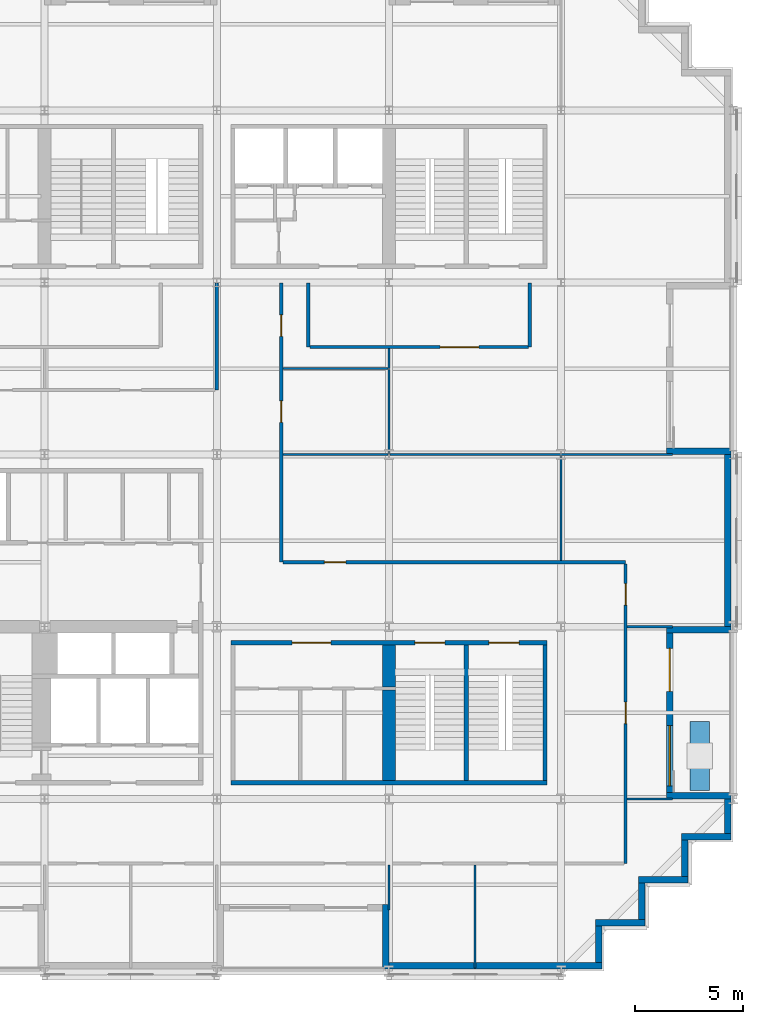
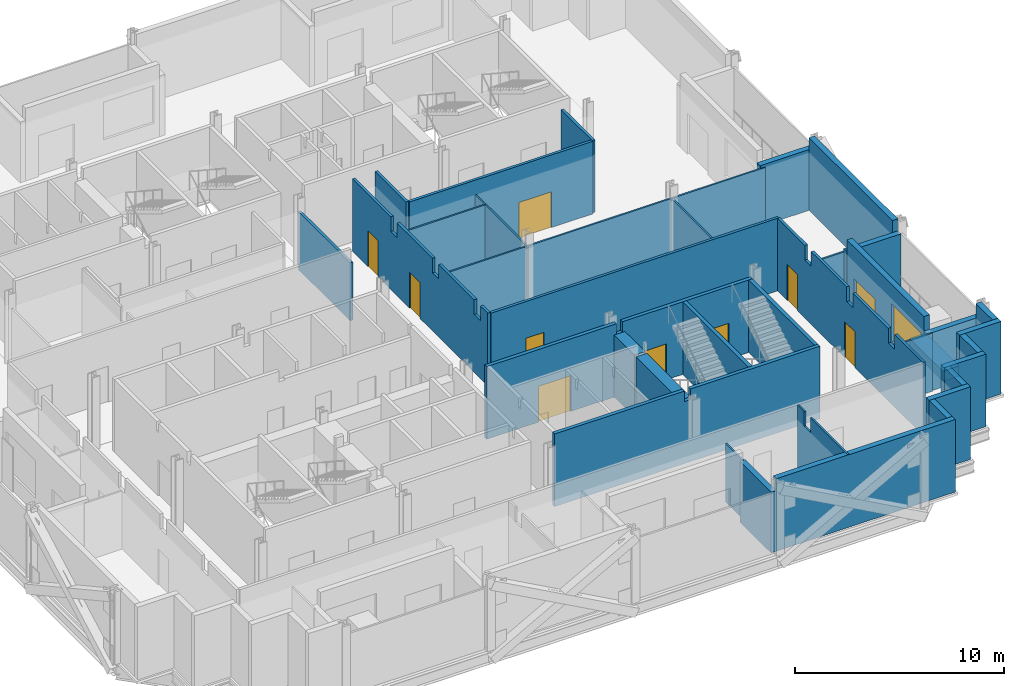
# One storey, part 7 of 13: 39 walls, 10 doors, 1 window, 11 openings.
"""IFC4 building model written with IfcOpenShell, lengths in metres."""

from ifc_helpers import new_model, si_unit, direction, frame, frame_2d, origin, place, context, subcontext, project, spatial, polyline, rectangle, outline, extrude, material, layer, layer_set, type_object, element, fill, save


model = new_model("IFC4")

# Units and contexts
model_context = context("Model", 3, precision=1e-05, world=origin(), true_north=direction((0.0, 1.0)))
body_context = subcontext(model_context, "Body", "Model", "MODEL_VIEW")
ifc_project = project(units=[si_unit("LENGTHUNIT", "METRE"), si_unit("AREAUNIT", "SQUARE_METRE"), si_unit("VOLUMEUNIT", "CUBIC_METRE"), si_unit("PLANEANGLEUNIT", "RADIAN"), si_unit("MASSUNIT", "GRAM", prefix="KILO")], contexts=[model_context])

# Site, building, storey
site_placement = place(None, origin())
site = spatial("IfcSite", under=ifc_project, at=site_placement, CompositionType="ELEMENT")
building_placement = place(site_placement, origin())
building = spatial("IfcBuilding", under=site, at=building_placement, Name="Immortelle Media Tower", CompositionType="ELEMENT")
storey_placement = place(building_placement, frame((0.0, 0.0, 56.800048828125)))
storey = spatial("IfcBuildingStorey", under=building, at=storey_placement, Name="L09", CompositionType="ELEMENT", Elevation=56.800048828125)

# Wall, openings, doors
ifc_material_1 = material(Name="Fire-rated gypsum board", Category="gypsum")
ifc_layer_1 = layer(ifc_material_1, 0.012451171875)
ifc_material_2 = material(Name="Steel ASTM A653 SS Gr 50 stud frame with mineral wool", Category="steel")
ifc_layer_2 = layer(ifc_material_2, 0.125)
ifc_layer_3 = layer(ifc_material_1, 0.012451171875)
ifc_layer_set_1 = layer_set([ifc_layer_1, ifc_layer_2, ifc_layer_3], Name="Steel ASTM A653 SS Gr 50 stud frame with mineral wool")
wall_type_1 = type_object("IfcWallType", Name="Corridor wall 150", PredefinedType="PARTITIONING", material=ifc_layer_set_1)
wall_1_placement = place(storey_placement, frame((43.0, 5.0, 0.0), z_axis=(0.0, 0.0, 1.0), x_axis=(0.0, 1.0, 0.0)))
wall_1 = element("IfcWall", 1, at=wall_1_placement, inside=storey, type_object=wall_type_1, Name="Partition L09-009", PredefinedType="PARTITIONING", context=body_context, shape_type="SweptSolid", body=[
    extrude(outline(polyline([(0.0, 0.0), (13.925048828125, 0.0), (13.925048828125, 4.25), (11.300048828125, 4.25), (11.298095703125, 3.390869140625), (10.701904296875, 3.390869140625), (10.699951171875, 4.25), (7.300048828125, 4.25), (7.298095703125, 3.390869140625), (6.701904296875, 3.390869140625), (6.699951171875, 4.25), (3.300048828125, 4.25), (3.298095703125, 3.390869140625), (2.701904296875, 3.390869140625), (2.699951171875, 4.25), (0.0, 4.25), (0.0, 0.0)])), frame((0.0, 0.074951171875, 0.0), z_axis=(0.0, -1.0, 0.0), x_axis=(1.0, 0.0, 0.0)), (0.0, 0.0, 1.0), 0.14990234375),
])
opening_1_placement = place(wall_1_placement, frame((7.5, 0.0, 0.0), z_axis=(0.0, 0.0, 1.0), x_axis=(-1.0, 0.0, 0.0)))
opening_1 = element("IfcOpeningElement", 2, at=opening_1_placement, cuts=wall_1, Name="Opening N2-F008", PredefinedType="OPENING", context=body_context, shape_type="SweptSolid", body=[
    extrude(rectangle(XDim=1.0, YDim=2.10009765625, at=frame_2d((0.5, 1.050048828125))), frame((0.0, 0.0849609375, 0.0), z_axis=(0.0, -1.0, 0.0), x_axis=(1.0, 0.0, 0.0)), (0.0, 0.0, 1.0), 0.169921875),
])
opening_2_placement = place(wall_1_placement, frame((13.0, 0.0, 0.0), z_axis=(0.0, 0.0, 1.0), x_axis=(-1.0, 0.0, 0.0)))
opening_2 = element("IfcOpeningElement", 3, at=opening_2_placement, cuts=wall_1, Name="Opening N2-F011", PredefinedType="OPENING", context=body_context, shape_type="SweptSolid", body=[
    extrude(rectangle(XDim=1.0, YDim=2.10009765625, at=frame_2d((0.5, 1.050048828125))), frame((0.0, 0.0849609375, 0.0), z_axis=(0.0, -1.0, 0.0), x_axis=(1.0, 0.0, 0.0)), (0.0, 0.0, 1.0), 0.169921875),
])
ifc_material_3 = material(Name="Timber veneered door leaf, galvanised steel frame ASTM A653", Category="steel")
door_type_1 = type_object("IfcDoorType", Name="Room door 1000 x 2100", OperationType="NOTDEFINED", PredefinedType="DOOR", material=ifc_material_3)
door_1_placement = place(opening_1_placement, origin())
door_1 = element("IfcDoor", 4, at=door_1_placement, inside=storey, type_object=door_type_1, Name="Door N2-F008", OperationType="SINGLE_SWING_RIGHT", OverallHeight=2.10009765625, OverallWidth=1.0, PredefinedType="DOOR", context=body_context, shape_type="SweptSolid", body=[
    extrude(rectangle(XDim=1.0, YDim=2.10009765625, at=frame_2d((0.5, 1.050048828125))), frame((0.0, 0.02490234375, 0.0), z_axis=(0.0, -1.0, 0.0), x_axis=(1.0, 0.0, 0.0)), (0.0, 0.0, 1.0), 0.050048828125),
])
fill(opening_1, door_1)
door_2_placement = place(opening_2_placement, origin())
door_2 = element("IfcDoor", 5, at=door_2_placement, inside=storey, type_object=door_type_1, Name="Door N2-F011", OperationType="SINGLE_SWING_RIGHT", OverallHeight=2.10009765625, OverallWidth=1.0, PredefinedType="DOOR", context=body_context, shape_type="SweptSolid", body=[
    extrude(rectangle(XDim=1.0, YDim=2.10009765625, at=frame_2d((0.5, 1.050048828125))), frame((0.0, 0.02490234375, 0.0), z_axis=(0.0, -1.0, 0.0), x_axis=(1.0, 0.0, 0.0)), (0.0, 0.0, 1.0), 0.050048828125),
])
fill(opening_2, door_2)

# Wall, opening, door
wall_2_placement = place(storey_placement, frame((27.074951171875, 19.0, 0.0), z_axis=(0.0, 0.0, 1.0), x_axis=(1.0, 0.0, 0.0)))
wall_2 = element("IfcWall", 6, at=wall_2_placement, inside=storey, type_object=wall_type_1, Name="Partition L09-013", PredefinedType="PARTITIONING", context=body_context, shape_type="SweptSolid", body=[
    extrude(rectangle(XDim=15.925048828125, YDim=0.14990234375, at=frame_2d((7.96240234375, 0.0))), origin(), (0.0, 0.0, 1.0), 4.25),
])
opening_3_placement = place(wall_2_placement, frame((1.925048828125, 0.0, 0.0)))
opening_3 = element("IfcOpeningElement", 7, at=opening_3_placement, cuts=wall_2, Name="Opening N2-F012", PredefinedType="OPENING", context=body_context, shape_type="SweptSolid", body=[
    extrude(rectangle(XDim=1.0, YDim=2.10009765625, at=frame_2d((0.5, 1.050048828125))), frame((0.0, 0.0849609375, 0.0), z_axis=(0.0, -1.0, 0.0), x_axis=(1.0, 0.0, 0.0)), (0.0, 0.0, 1.0), 0.169921875),
])
door_3_placement = place(opening_3_placement, origin())
door_3 = element("IfcDoor", 8, at=door_3_placement, inside=storey, type_object=door_type_1, Name="Door N2-F012", OperationType="SINGLE_SWING_LEFT", OverallHeight=2.10009765625, OverallWidth=1.0, PredefinedType="DOOR", context=body_context, shape_type="SweptSolid", body=[
    extrude(rectangle(XDim=1.0, YDim=2.10009765625, at=frame_2d((0.5, 1.050048828125))), frame((0.0, 0.02490234375, 0.0), z_axis=(0.0, -1.0, 0.0), x_axis=(1.0, 0.0, 0.0)), (0.0, 0.0, 1.0), 0.050048828125),
])
fill(opening_3, door_3)

# Wall, openings, doors
wall_3_placement = place(storey_placement, frame((27.0, 19.0, 0.0), z_axis=(0.0, 0.0, 1.0), x_axis=(0.0, 1.0, 0.0)))
wall_3 = element("IfcWall", 9, at=wall_3_placement, inside=storey, type_object=wall_type_1, Name="Partition L09-014", PredefinedType="PARTITIONING", context=body_context, shape_type="SweptSolid", body=[
    extrude(outline(polyline([(0.0, 0.0), (12.969970703125, 0.0), (12.969970703125, 4.25), (9.300048828125, 4.25), (9.298095703125, 3.390869140625), (8.701904296875, 3.390869140625), (8.699951171875, 4.25), (5.300048828125, 4.25), (5.298095703125, 3.390869140625), (4.701904296875, 3.390869140625), (4.699951171875, 4.25), (1.300048828125, 4.25), (1.298095703125, 3.390869140625), (0.701904296875, 3.390869140625), (0.699951171875, 4.25), (0.0, 4.25), (0.0, 0.0)])), frame((0.0, 0.074951171875, 0.0), z_axis=(0.0, -1.0, 0.0), x_axis=(1.0, 0.0, 0.0)), (0.0, 0.0, 1.0), 0.14990234375),
])
opening_4_placement = place(wall_3_placement, frame((7.5, 0.0, 0.0), z_axis=(0.0, 0.0, 1.0), x_axis=(-1.0, 0.0, 0.0)))
opening_4 = element("IfcOpeningElement", 10, at=opening_4_placement, cuts=wall_3, Name="Opening N2-F013", PredefinedType="OPENING", context=body_context, shape_type="SweptSolid", body=[
    extrude(rectangle(XDim=1.0, YDim=2.10009765625, at=frame_2d((0.5, 1.050048828125))), frame((0.0, 0.0849609375, 0.0), z_axis=(0.0, -1.0, 0.0), x_axis=(1.0, 0.0, 0.0)), (0.0, 0.0, 1.0), 0.169921875),
])
opening_5_placement = place(wall_3_placement, frame((11.5, 0.0, 0.0), z_axis=(0.0, 0.0, 1.0), x_axis=(-1.0, 0.0, 0.0)))
opening_5 = element("IfcOpeningElement", 11, at=opening_5_placement, cuts=wall_3, Name="Opening N2-F014", PredefinedType="OPENING", context=body_context, shape_type="SweptSolid", body=[
    extrude(rectangle(XDim=1.0, YDim=2.10009765625, at=frame_2d((0.5, 1.050048828125))), frame((0.0, 0.0849609375, 0.0), z_axis=(0.0, -1.0, 0.0), x_axis=(1.0, 0.0, 0.0)), (0.0, 0.0, 1.0), 0.169921875),
])
door_4_placement = place(opening_4_placement, origin())
door_4 = element("IfcDoor", 12, at=door_4_placement, inside=storey, type_object=door_type_1, Name="Door N2-F013", OperationType="SINGLE_SWING_LEFT", OverallHeight=2.10009765625, OverallWidth=1.0, PredefinedType="DOOR", context=body_context, shape_type="SweptSolid", body=[
    extrude(rectangle(XDim=1.0, YDim=2.10009765625, at=frame_2d((0.5, 1.050048828125))), frame((0.0, 0.02490234375, 0.0), z_axis=(0.0, -1.0, 0.0), x_axis=(1.0, 0.0, 0.0)), (0.0, 0.0, 1.0), 0.050048828125),
])
fill(opening_4, door_4)
door_5_placement = place(opening_5_placement, origin())
door_5 = element("IfcDoor", 13, at=door_5_placement, inside=storey, type_object=door_type_1, Name="Door N2-F014", OperationType="SINGLE_SWING_RIGHT", OverallHeight=2.10009765625, OverallWidth=1.0, PredefinedType="DOOR", context=body_context, shape_type="SweptSolid", body=[
    extrude(rectangle(XDim=1.0, YDim=2.10009765625, at=frame_2d((0.5, 1.050048828125))), frame((0.0, 0.02490234375, 0.0), z_axis=(0.0, -1.0, 0.0), x_axis=(1.0, 0.0, 0.0)), (0.0, 0.0, 1.0), 0.050048828125),
])
fill(opening_5, door_5)

# Wall
wall_4_placement = place(storey_placement, frame((24.0, 27.0, 0.0), z_axis=(0.0, 0.0, 1.0), x_axis=(0.0, 1.0, 0.0)))
element("IfcWall", 14, at=wall_4_placement, inside=storey, type_object=wall_type_1, Name="Partition L09-026", PredefinedType="PARTITIONING", context=body_context, shape_type="SweptSolid", body=[
    extrude(rectangle(XDim=4.969970703125, YDim=0.14990234375, at=frame_2d((2.48486328125, 0.0))), origin(), (0.0, 0.0, 1.0), 3.390869140625),
])

# Wall, opening, door
wall_5_placement = place(storey_placement, frame((28.324951171875, 29.0, 0.0), z_axis=(0.0, 0.0, 1.0), x_axis=(1.0, 0.0, 0.0)))
wall_5 = element("IfcWall", 15, at=wall_5_placement, inside=storey, type_object=wall_type_1, Name="Partition L09-032", PredefinedType="PARTITIONING", context=body_context, shape_type="SweptSolid", body=[
    extrude(rectangle(XDim=10.150146484375, YDim=0.14990234375, at=frame_2d((5.0751953125, 0.0))), origin(), (0.0, 0.0, 1.0), 4.25),
])
opening_6_placement = place(wall_5_placement, frame((6.050048828125, 0.0, 0.0)))
opening_6 = element("IfcOpeningElement", 16, at=opening_6_placement, cuts=wall_5, Name="Opening N2-F018", PredefinedType="OPENING", context=body_context, shape_type="SweptSolid", body=[
    extrude(rectangle(XDim=1.800048828125, YDim=2.10009765625, at=frame_2d((0.89990234375, 1.050048828125))), frame((0.0, 0.0849609375, 0.0), z_axis=(0.0, -1.0, 0.0), x_axis=(1.0, 0.0, 0.0)), (0.0, 0.0, 1.0), 0.169921875),
])
door_type_2 = type_object("IfcDoorType", Name="Room door 1800 x 2100", OperationType="DOUBLE_DOOR_SINGLE_SWING", PredefinedType="DOOR", material=ifc_material_3)
door_6_placement = place(opening_6_placement, origin())
door_6 = element("IfcDoor", 17, at=door_6_placement, inside=storey, type_object=door_type_2, Name="Door N2-F018", OperationType="DOUBLE_DOOR_SINGLE_SWING", OverallHeight=2.10009765625, OverallWidth=1.800048828125, PredefinedType="DOOR", context=body_context, shape_type="SweptSolid", body=[
    extrude(rectangle(XDim=1.800048828125, YDim=2.10009765625, at=frame_2d((0.89990234375, 1.050048828125))), frame((0.0, 0.02490234375, 0.0), z_axis=(0.0, -1.0, 0.0), x_axis=(1.0, 0.0, 0.0)), (0.0, 0.0, 1.0), 0.050048828125),
])
fill(opening_6, door_6)

# Walls
for number, where, z_axis, x_axis, name in (
    (18, (28.25, 29.0, 0.0), (0.0, 0.0, 1.0), (0.0, 1.0, 0.0), "Partition L09-033"),
    (19, (38.550048828125, 29.0, 0.0), (0.0, 0.0, 1.0), (0.0, 1.0, 0.0), "Partition L09-034"),
):
    element("IfcWall", number, at=place(storey_placement, frame(where, z_axis=z_axis, x_axis=x_axis)), inside=storey, type_object=wall_type_1, Name=name, PredefinedType="PARTITIONING", context=body_context, shape_type="SweptSolid", body=[
        extrude(rectangle(XDim=2.969970703125, YDim=0.14990234375, at=frame_2d((1.48486328125, 0.0))), origin(), (0.0, 0.0, 1.0), 4.25),
    ])
ifc_material_4 = material(Name="Pale aluminium cladding panel", Category="aluminium")
ifc_layer_4 = layer(ifc_material_4, 0.030029296875)
ifc_layer_5 = layer(ifc_material_2, 0.257568359375)
ifc_material_5 = material(Name="Moisture-resistant gypsum board", Category="gypsum")
ifc_layer_6 = layer(ifc_material_5, 0.012451171875)
ifc_layer_set_2 = layer_set([ifc_layer_4, ifc_layer_5, ifc_layer_6], Name="Steel ASTM A653 SS Gr 50 stud frame with mineral wool")
wall_type_2 = type_object("IfcWallType", Name="Facade wall 300", PredefinedType="SOLIDWALL", material=ifc_layer_set_2)
wall_6_placement = place(storey_placement, frame((31.85009765625, 0.10009765625, 0.0), z_axis=(0.0, 0.0, 1.0), x_axis=(0.0, 1.0, 0.0)))
element("IfcWall", 20, at=wall_6_placement, inside=storey, type_object=wall_type_2, Name="Loggia cheek wall L09 S", PredefinedType="SOLIDWALL", context=body_context, shape_type="SweptSolid", body=[
    extrude(rectangle(XDim=3.0, YDim=0.300048828125, at=frame_2d((1.5, 0.0))), origin(), (0.0, 0.0, 1.0), 3.552978515625),
])
wall_7_placement = place(storey_placement, frame((32.0, 0.25, 0.0), z_axis=(0.0, 0.0, 1.0), x_axis=(1.0, 0.0, 0.0)))
element("IfcWall", 21, at=wall_7_placement, inside=storey, type_object=wall_type_2, Name="Facade wall L09 S7", PredefinedType="SOLIDWALL", context=body_context, shape_type="SweptSolid", body=[
    extrude(rectangle(XDim=9.89990234375, YDim=0.300048828125, at=frame_2d((4.949951171875, 0.0))), origin(), (0.0, 0.0, 1.0), 4.25),
])
wall_8_placement = place(storey_placement, frame((41.75, 0.39990234375, 0.0), z_axis=(0.0, 0.0, 1.0), x_axis=(0.0, 1.0, 0.0)))
element("IfcWall", 22, at=wall_8_placement, inside=storey, type_object=wall_type_2, Name="Facade wall L09 E8", PredefinedType="SOLIDWALL", context=body_context, shape_type="SweptSolid", body=[
    extrude(rectangle(XDim=1.7001953125, YDim=0.300048828125, at=frame_2d((0.85009765625, 0.0))), origin(), (0.0, 0.0, 1.0), 4.25),
])
wall_9_placement = place(storey_placement, frame((41.60009765625, 2.25, 0.0), z_axis=(0.0, 0.0, 1.0), x_axis=(1.0, 0.0, 0.0)))
element("IfcWall", 23, at=wall_9_placement, inside=storey, type_object=wall_type_2, Name="Facade wall L09 S9", PredefinedType="SOLIDWALL", context=body_context, shape_type="SweptSolid", body=[
    extrude(rectangle(XDim=2.2998046875, YDim=0.300048828125, at=frame_2d((1.14990234375, 0.0))), origin(), (0.0, 0.0, 1.0), 4.25),
])
wall_10_placement = place(storey_placement, frame((43.75, 2.39990234375, 0.0), z_axis=(0.0, 0.0, 1.0), x_axis=(0.0, 1.0, 0.0)))
element("IfcWall", 24, at=wall_10_placement, inside=storey, type_object=wall_type_2, Name="Facade wall L09 E10", PredefinedType="SOLIDWALL", context=body_context, shape_type="SweptSolid", body=[
    extrude(rectangle(XDim=1.7001953125, YDim=0.300048828125, at=frame_2d((0.85009765625, 0.0))), origin(), (0.0, 0.0, 1.0), 4.25),
])
wall_11_placement = place(storey_placement, frame((43.60009765625, 4.25, 0.0), z_axis=(0.0, 0.0, 1.0), x_axis=(1.0, 0.0, 0.0)))
element("IfcWall", 25, at=wall_11_placement, inside=storey, type_object=wall_type_2, Name="Facade wall L09 S11", PredefinedType="SOLIDWALL", context=body_context, shape_type="SweptSolid", body=[
    extrude(rectangle(XDim=2.2998046875, YDim=0.300048828125, at=frame_2d((1.14990234375, 0.0))), origin(), (0.0, 0.0, 1.0), 4.25),
])
wall_12_placement = place(storey_placement, frame((45.75, 4.39990234375, 0.0), z_axis=(0.0, 0.0, 1.0), x_axis=(0.0, 1.0, 0.0)))
element("IfcWall", 26, at=wall_12_placement, inside=storey, type_object=wall_type_2, Name="Facade wall L09 E12", PredefinedType="SOLIDWALL", context=body_context, shape_type="SweptSolid", body=[
    extrude(rectangle(XDim=1.7001953125, YDim=0.300048828125, at=frame_2d((0.85009765625, 0.0))), origin(), (0.0, 0.0, 1.0), 4.25),
])
wall_13_placement = place(storey_placement, frame((45.60009765625, 6.25, 0.0), z_axis=(0.0, 0.0, 1.0), x_axis=(1.0, 0.0, 0.0)))
element("IfcWall", 27, at=wall_13_placement, inside=storey, type_object=wall_type_2, Name="Facade wall L09 S13", PredefinedType="SOLIDWALL", context=body_context, shape_type="SweptSolid", body=[
    extrude(rectangle(XDim=2.2998046875, YDim=0.300048828125, at=frame_2d((1.14990234375, 0.0))), origin(), (0.0, 0.0, 1.0), 4.25),
])
wall_14_placement = place(storey_placement, frame((47.75, 6.39990234375, 0.0), z_axis=(0.0, 0.0, 1.0), x_axis=(0.0, 1.0, 0.0)))
element("IfcWall", 28, at=wall_14_placement, inside=storey, type_object=wall_type_2, Name="Facade wall L09 E14", PredefinedType="SOLIDWALL", context=body_context, shape_type="SweptSolid", body=[
    extrude(rectangle(XDim=1.60009765625, YDim=0.300048828125, at=frame_2d((0.800048828125, 0.0))), origin(), (0.0, 0.0, 1.0), 4.25),
])

# Wall, openings, door, window
wall_15_placement = place(storey_placement, frame((45.050048828125, 8.300048828125, 0.0), z_axis=(0.0, 0.0, 1.0), x_axis=(0.0, 1.0, 0.0)))
wall_15 = element("IfcWall", 29, at=wall_15_placement, inside=storey, type_object=wall_type_2, Name="Loggia wall L09 E14", PredefinedType="SOLIDWALL", context=body_context, shape_type="SweptSolid", body=[
    extrude(rectangle(XDim=7.39990234375, YDim=0.300048828125, at=frame_2d((3.699951171875, 0.0))), origin(), (0.0, 0.0, 1.0), 4.25),
])
opening_7_placement = place(wall_15_placement, frame((0.300048828125, 0.0, 0.89990234375)))
opening_7 = element("IfcOpeningElement", 30, at=opening_7_placement, cuts=wall_15, Name="Opening W1", PredefinedType="OPENING", context=body_context, shape_type="SweptSolid", body=[
    extrude(rectangle(XDim=2.800048828125, YDim=2.199951171875, at=frame_2d((1.39990234375, 1.10009765625))), frame((0.0, 0.159912109375, 0.0), z_axis=(0.0, -1.0, 0.0), x_axis=(1.0, 0.0, 0.0)), (0.0, 0.0, 1.0), 0.320068359375),
])
opening_8_placement = place(wall_15_placement, frame((4.699951171875, 0.0, 0.0)))
opening_8 = element("IfcOpeningElement", 31, at=opening_8_placement, cuts=wall_15, Name="Opening N2-E005", PredefinedType="OPENING", context=body_context, shape_type="SweptSolid", body=[
    extrude(rectangle(XDim=2.0, YDim=2.39990234375, at=frame_2d((1.0, 1.199951171875))), frame((0.0, 0.159912109375, 0.0), z_axis=(0.0, -1.0, 0.0), x_axis=(1.0, 0.0, 0.0)), (0.0, 0.0, 1.0), 0.320068359375),
])
ifc_material_6 = material(Name="Aluminium frame, glazed leaves", Category="aluminium")
door_type_3 = type_object("IfcDoorType", Name="Loggia door 2000 x 2400", OperationType="DOUBLE_DOOR_SINGLE_SWING", PredefinedType="DOOR", material=ifc_material_6)
door_7_placement = place(opening_8_placement, origin())
door_7 = element("IfcDoor", 32, at=door_7_placement, inside=storey, type_object=door_type_3, Name="Door N2-E005", OperationType="DOUBLE_DOOR_SINGLE_SWING", OverallHeight=2.39990234375, OverallWidth=2.0, PredefinedType="DOOR", context=body_context, shape_type="SweptSolid", body=[
    extrude(rectangle(XDim=2.0, YDim=2.39990234375, at=frame_2d((1.0, 1.199951171875))), frame((0.0, 0.02490234375, 0.0), z_axis=(0.0, -1.0, 0.0), x_axis=(1.0, 0.0, 0.0)), (0.0, 0.0, 1.0), 0.050048828125),
])
fill(opening_8, door_7)
ifc_material_7 = material(Name="Aluminium frame", Category="aluminium")
window_type = type_object("IfcWindowType", Name="Window 2800 x 2200", PartitioningType="SINGLE_PANEL", PredefinedType="WINDOW", material=ifc_material_7)
window_placement = place(opening_7_placement, origin())
window = element("IfcWindow", 33, at=window_placement, inside=storey, type_object=window_type, Name="Window L09 L09-R14-B0", OverallHeight=2.199951171875, OverallWidth=2.800048828125, PartitioningType="SINGLE_PANEL", PredefinedType="WINDOW", context=body_context, shape_type="SweptSolid", body=[
    extrude(rectangle(XDim=2.800048828125, YDim=2.199951171875, at=frame_2d((1.39990234375, 1.10009765625))), frame((0.0, 0.030029296875, 0.0), z_axis=(0.0, -1.0, 0.0), x_axis=(1.0, 0.0, 0.0)), (0.0, 0.0, 1.0), 0.06005859375),
])
fill(opening_7, window)

# Walls
wall_16_placement = place(storey_placement, frame((47.89990234375, 8.14990234375, 0.0), z_axis=(0.0, 0.0, 1.0), x_axis=(-1.0, 0.0, 0.0)))
element("IfcWall", 34, at=wall_16_placement, inside=storey, type_object=wall_type_2, Name="Loggia cheek wall L09 E", PredefinedType="SOLIDWALL", context=body_context, shape_type="SweptSolid", body=[
    extrude(rectangle(XDim=3.0, YDim=0.300048828125, at=frame_2d((1.5, 0.0))), origin(), (0.0, 0.0, 1.0), 3.389892578125),
])
wall_17_placement = place(storey_placement, frame((47.89990234375, 15.85009765625, 0.0), z_axis=(0.0, 0.0, 1.0), x_axis=(-1.0, 0.0, 0.0)))
element("IfcWall", 35, at=wall_17_placement, inside=storey, type_object=wall_type_2, Name="Loggia cheek wall L09 E", PredefinedType="SOLIDWALL", context=body_context, shape_type="SweptSolid", body=[
    extrude(rectangle(XDim=3.0, YDim=0.300048828125, at=frame_2d((1.5, 0.0))), origin(), (0.0, 0.0, 1.0), 3.552978515625),
])
wall_18_placement = place(storey_placement, frame((47.75, 16.0, 0.0), z_axis=(0.0, 0.0, 1.0), x_axis=(0.0, 1.0, 0.0)))
element("IfcWall", 36, at=wall_18_placement, inside=storey, type_object=wall_type_2, Name="Facade wall L09 E14", PredefinedType="SOLIDWALL", context=body_context, shape_type="SweptSolid", body=[
    extrude(rectangle(XDim=8.0, YDim=0.300048828125, at=frame_2d((4.0, 0.0))), origin(), (0.0, 0.0, 1.0), 4.25),
])
wall_19_placement = place(storey_placement, frame((47.89990234375, 24.14990234375, 0.0), z_axis=(0.0, 0.0, 1.0), x_axis=(-1.0, 0.0, 0.0)))
element("IfcWall", 37, at=wall_19_placement, inside=storey, type_object=wall_type_2, Name="Loggia cheek wall L09 E", PredefinedType="SOLIDWALL", context=body_context, shape_type="SweptSolid", body=[
    extrude(rectangle(XDim=3.0, YDim=0.300048828125, at=frame_2d((1.5, 0.0))), origin(), (0.0, 0.0, 1.0), 3.552978515625),
])
ifc_material_8 = material(Name="Gypsum board", Category="gypsum")
ifc_layer_7 = layer(ifc_material_8, 0.012451171875)
ifc_layer_8 = layer(ifc_material_2, 0.074951171875)
ifc_layer_9 = layer(ifc_material_8, 0.012451171875)
ifc_layer_set_3 = layer_set([ifc_layer_7, ifc_layer_8, ifc_layer_9], Name="Steel ASTM A653 SS Gr 50 stud frame with mineral wool")
wall_type_3 = type_object("IfcWallType", Name="Partition 100", PredefinedType="PARTITIONING", material=ifc_layer_set_3)
wall_20_placement = place(storey_placement, frame((36.0, 0.1298828125, 0.0), z_axis=(0.0, 0.0, 1.0), x_axis=(0.0, 1.0, 0.0)))
element("IfcWall", 38, at=wall_20_placement, inside=storey, type_object=wall_type_3, Name="Partition L09-002", PredefinedType="PARTITIONING", context=body_context, shape_type="SweptSolid", body=[
    extrude(outline(polyline([(0.0, 0.0), (4.795166015625, 0.0), (4.794921875, 4.25), (4.169921875, 4.25), (4.16796875, 3.390869140625), (3.572021484375, 3.390869140625), (3.570068359375, 4.25), (0.0, 4.25), (0.0, 0.0)])), frame((0.0, 0.050048828125, 0.0), z_axis=(0.0, -1.0, 0.0), x_axis=(1.0, 0.0, 0.0)), (0.0, 0.0, 1.0), 0.10009765625),
])
for number, where, z_axis, x_axis, name in (
    (39, (32.0, 2.830078125, 0.0), (0.0, 0.0, 1.0), (0.0, 1.0, 0.0), "Partition L09-006"),
    (40, (43.074951171875, 8.0, 0.0), (0.0, 0.0, 1.0), (1.0, 0.0, 0.0), "Partition L09-010"),
    (41, (43.074951171875, 16.0, 0.0), (0.0, 0.0, 1.0), (1.0, 0.0, 0.0), "Partition L09-012"),
):
    element("IfcWall", number, at=place(storey_placement, frame(where, z_axis=z_axis, x_axis=x_axis)), inside=storey, type_object=wall_type_3, Name=name, PredefinedType="PARTITIONING", context=body_context, shape_type="SweptSolid", body=[
        extrude(rectangle(XDim=2.094970703125, YDim=0.10009765625, at=frame_2d((1.04736328125, 0.0))), origin(), (0.0, 0.0, 1.0), 3.390869140625),
    ])
for number, where, z_axis, x_axis, name in (
    (42, (40.0, 19.074951171875, 0.0), (0.0, 0.0, 1.0), (0.0, 1.0, 0.0), "Partition L09-015"),
    (43, (27.074951171875, 24.0, 0.0), (0.0, 0.0, 1.0), (1.0, 0.0, 0.0), "Partition L09-018"),
):
    element("IfcWall", number, at=place(storey_placement, frame(where, z_axis=z_axis, x_axis=x_axis)), inside=storey, type_object=wall_type_3, Name=name, PredefinedType="PARTITIONING", context=body_context, shape_type="SweptSolid", body=[
        extrude(rectangle(XDim=4.875, YDim=0.10009765625, at=frame_2d((2.4375, 0.0))), origin(), (0.0, 0.0, 1.0), 3.390869140625),
    ])
wall_21_placement = place(storey_placement, frame((32.050048828125, 24.0, 0.0), z_axis=(0.0, 0.0, 1.0), x_axis=(1.0, 0.0, 0.0)))
element("IfcWall", 44, at=wall_21_placement, inside=storey, type_object=wall_type_3, Name="Partition L09-019", PredefinedType="PARTITIONING", context=body_context, shape_type="SweptSolid", body=[
    extrude(rectangle(XDim=7.949951171875, YDim=0.10009765625, at=frame_2d((3.97509765625, 0.0))), origin(), (0.0, 0.0, 1.0), 3.390869140625),
])
wall_22_placement = place(storey_placement, frame((32.0, 24.0, 0.0), z_axis=(0.0, 0.0, 1.0), x_axis=(0.0, 1.0, 0.0)))
element("IfcWall", 45, at=wall_22_placement, inside=storey, type_object=wall_type_3, Name="Partition L09-020", PredefinedType="PARTITIONING", context=body_context, shape_type="SweptSolid", body=[
    extrude(rectangle(XDim=3.949951171875, YDim=0.10009765625, at=frame_2d((1.97509765625, 0.0))), origin(), (0.0, 0.0, 1.0), 3.390869140625),
])
wall_23_placement = place(storey_placement, frame((40.0, 24.0, 0.0), z_axis=(0.0, 0.0, 1.0), x_axis=(1.0, 0.0, 0.0)))
element("IfcWall", 46, at=wall_23_placement, inside=storey, type_object=wall_type_3, Name="Partition L09-021", PredefinedType="PARTITIONING", context=body_context, shape_type="SweptSolid", body=[
    extrude(rectangle(XDim=5.169921875, YDim=0.10009765625, at=frame_2d((2.5849609375, 0.0))), origin(), (0.0, 0.0, 1.0), 3.390869140625),
])
wall_24_placement = place(storey_placement, frame((27.074951171875, 28.0, 0.0), z_axis=(0.0, 0.0, 1.0), x_axis=(1.0, 0.0, 0.0)))
element("IfcWall", 47, at=wall_24_placement, inside=storey, type_object=wall_type_3, Name="Partition L09-027", PredefinedType="PARTITIONING", context=body_context, shape_type="SweptSolid", body=[
    extrude(rectangle(XDim=4.875, YDim=0.10009765625, at=frame_2d((2.4375, 0.0))), origin(), (0.0, 0.0, 1.0), 3.390869140625),
])
wall_25_placement = place(storey_placement, frame((32.0, 28.0, 0.0), z_axis=(0.0, 0.0, 1.0), x_axis=(0.0, 1.0, 0.0)))
element("IfcWall", 48, at=wall_25_placement, inside=storey, type_object=wall_type_3, Name="Partition L09-028", PredefinedType="PARTITIONING", context=body_context, shape_type="SweptSolid", body=[
    extrude(rectangle(XDim=0.925048828125, YDim=0.10009765625, at=frame_2d((0.46240234375, 0.0))), origin(), (0.0, 0.0, 1.0), 3.390869140625),
])
ifc_layer_10 = layer(ifc_material_4, 0.0029296875)
ifc_material_9 = material(Name="Steel ASTM A572 Gr 50 planter shell", Category="steel")
ifc_layer_11 = layer(ifc_material_9, 0.011962890625)
ifc_material_10 = material(Name="Planting substrate", Category="soil")
ifc_layer_12 = layer(ifc_material_10, 0.873046875)
ifc_layer_13 = layer(ifc_material_9, 0.011962890625)
ifc_layer_set_4 = layer_set([ifc_layer_10, ifc_layer_11, ifc_layer_12, ifc_layer_13], Name="Steel ASTM A572 Gr 50 planter shell")
wall_type_4 = type_object("IfcWallType", Name="Planter wall 900", PredefinedType="SOLIDWALL", material=ifc_layer_set_4)
wall_26_placement = place(storey_placement, frame((46.449951171875, 8.39990234375, 0.0), z_axis=(0.0, 0.0, 1.0), x_axis=(0.0, 1.0, 0.0)))
element("IfcWall", 49, at=wall_26_placement, inside=storey, type_object=wall_type_4, Name="Planter L09 E0", PredefinedType="SOLIDWALL", context=body_context, shape_type="SweptSolid", body=[
    extrude(rectangle(XDim=3.2001953125, YDim=0.89990234375, at=frame_2d((1.60009765625, 0.0))), origin(), (0.0, 0.0, 1.0), 0.599853515625),
])
ifc_material_11 = material(Name="Concrete C60", Category="concrete")
ifc_layer_14 = layer(ifc_material_11, 0.199951171875)
ifc_layer_set_5 = layer_set([ifc_layer_14], Name="Concrete C60")
wall_type_5 = type_object("IfcWallType", Name="Stair shaft wall 200", PredefinedType="PARTITIONING", material=ifc_layer_set_5)
wall_27_placement = place(storey_placement, frame((24.64990234375, 8.75, 0.0), z_axis=(0.0, 0.0, 1.0), x_axis=(1.0, 0.0, 0.0)))
element("IfcWall", 50, at=wall_27_placement, inside=storey, type_object=wall_type_5, Name="Stair shaft wall SE", PredefinedType="PARTITIONING", context=body_context, shape_type="SweptSolid", body=[
    extrude(outline(polyline([(0.0, 0.0), (14.7001953125, 0.0), (14.699951171875, 4.25), (7.51708984375, 4.25), (7.51611328125, 3.6318359375), (7.18408203125, 3.6318359375), (7.18310546875, 4.25), (0.0, 4.25), (0.0, 0.0)])), frame((0.0, 0.10009765625, 0.0), z_axis=(0.0, -1.0, 0.0), x_axis=(1.0, 0.0, 0.0)), (0.0, 0.0, 1.0), 0.199951171875),
])

# Wall, openings, doors
wall_28_placement = place(storey_placement, frame((24.64990234375, 15.25, 0.0), z_axis=(0.0, 0.0, 1.0), x_axis=(1.0, 0.0, 0.0)))
wall_28 = element("IfcWall", 51, at=wall_28_placement, inside=storey, type_object=wall_type_5, Name="Stair shaft wall SE", PredefinedType="PARTITIONING", context=body_context, shape_type="SweptSolid", body=[
    extrude(outline(polyline([(0.0, 0.0), (14.7001953125, 0.0), (14.699951171875, 4.25), (7.51708984375, 4.25), (7.51611328125, 3.6318359375), (7.18408203125, 3.6318359375), (7.18310546875, 4.25), (0.0, 4.25), (0.0, 0.0)])), frame((0.0, 0.10009765625, 0.0), z_axis=(0.0, -1.0, 0.0), x_axis=(1.0, 0.0, 0.0)), (0.0, 0.0, 1.0), 0.199951171875),
])
opening_9_placement = place(wall_28_placement, frame((2.85009765625, 0.0, 0.0)))
opening_9 = element("IfcOpeningElement", 52, at=opening_9_placement, cuts=wall_28, Name="Opening N2-K019", PredefinedType="OPENING", context=body_context, shape_type="SweptSolid", body=[
    extrude(rectangle(XDim=1.800048828125, YDim=2.10009765625, at=frame_2d((0.89990234375, 1.050048828125))), frame((0.0, 0.10986328125, 0.0), z_axis=(0.0, -1.0, 0.0), x_axis=(1.0, 0.0, 0.0)), (0.0, 0.0, 1.0), 0.219970703125),
])
opening_10_placement = place(wall_28_placement, frame((9.949951171875, 0.0, 0.0), z_axis=(0.0, 0.0, 1.0), x_axis=(-1.0, 0.0, 0.0)))
opening_10 = element("IfcOpeningElement", 53, at=opening_10_placement, cuts=wall_28, Name="Opening N2-K022", PredefinedType="OPENING", context=body_context, shape_type="SweptSolid", body=[
    extrude(rectangle(XDim=1.39990234375, YDim=2.10009765625, at=frame_2d((0.699951171875, 1.050048828125))), frame((0.0, 0.10986328125, 0.0), z_axis=(0.0, -1.0, 0.0), x_axis=(1.0, 0.0, 0.0)), (0.0, 0.0, 1.0), 0.219970703125),
])
opening_11_placement = place(wall_28_placement, frame((13.39990234375, 0.0, 0.0), z_axis=(0.0, 0.0, 1.0), x_axis=(-1.0, 0.0, 0.0)))
opening_11 = element("IfcOpeningElement", 54, at=opening_11_placement, cuts=wall_28, Name="Opening N2-K023", PredefinedType="OPENING", context=body_context, shape_type="SweptSolid", body=[
    extrude(rectangle(XDim=1.39990234375, YDim=2.10009765625, at=frame_2d((0.699951171875, 1.050048828125))), frame((0.0, 0.10986328125, 0.0), z_axis=(0.0, -1.0, 0.0), x_axis=(1.0, 0.0, 0.0)), (0.0, 0.0, 1.0), 0.219970703125),
])
ifc_material_12 = material(Name="Galvanised steel door leaf and frame ASTM A653", Category="steel")
door_type_4 = type_object("IfcDoorType", Name="Lift lobby door 1800 x 2100", OperationType="DOUBLE_DOOR_SINGLE_SWING", PredefinedType="NOTDEFINED", material=ifc_material_12)
door_8_placement = place(opening_9_placement, origin())
door_8 = element("IfcDoor", 55, at=door_8_placement, inside=storey, type_object=door_type_4, Name="Lift lobby N2-K019", OperationType="DOUBLE_DOOR_SINGLE_SWING", OverallHeight=2.10009765625, OverallWidth=1.800048828125, PredefinedType="NOTDEFINED", context=body_context, shape_type="SweptSolid", body=[
    extrude(rectangle(XDim=1.800048828125, YDim=2.10009765625, at=frame_2d((0.89990234375, 1.050048828125))), frame((0.0, 0.02490234375, 0.0), z_axis=(0.0, -1.0, 0.0), x_axis=(1.0, 0.0, 0.0)), (0.0, 0.0, 1.0), 0.050048828125),
])
fill(opening_9, door_8)
door_type_5 = type_object("IfcDoorType", Name="Stair door 1400 x 2100", OperationType="DOUBLE_DOOR_SINGLE_SWING", PredefinedType="NOTDEFINED", material=ifc_material_12)
door_9_placement = place(opening_10_placement, origin())
door_9 = element("IfcDoor", 56, at=door_9_placement, inside=storey, type_object=door_type_5, Name="Stair N2-K022", OperationType="DOUBLE_DOOR_SINGLE_SWING", OverallHeight=2.10009765625, OverallWidth=1.39990234375, PredefinedType="NOTDEFINED", context=body_context, shape_type="SweptSolid", body=[
    extrude(rectangle(XDim=1.39990234375, YDim=2.10009765625, at=frame_2d((0.699951171875, 1.050048828125))), frame((0.0, 0.02490234375, 0.0), z_axis=(0.0, -1.0, 0.0), x_axis=(1.0, 0.0, 0.0)), (0.0, 0.0, 1.0), 0.050048828125),
])
fill(opening_10, door_9)
door_10_placement = place(opening_11_placement, origin())
door_10 = element("IfcDoor", 57, at=door_10_placement, inside=storey, type_object=door_type_5, Name="Stair N2-K023", OperationType="DOUBLE_DOOR_SINGLE_SWING", OverallHeight=2.10009765625, OverallWidth=1.39990234375, PredefinedType="NOTDEFINED", context=body_context, shape_type="SweptSolid", body=[
    extrude(rectangle(XDim=1.39990234375, YDim=2.10009765625, at=frame_2d((0.699951171875, 1.050048828125))), frame((0.0, 0.02490234375, 0.0), z_axis=(0.0, -1.0, 0.0), x_axis=(1.0, 0.0, 0.0)), (0.0, 0.0, 1.0), 0.050048828125),
])
fill(opening_11, door_10)

# Walls
for number, where, z_axis, x_axis, name in (
    (58, (35.60009765625, 8.85009765625, 0.0), (0.0, 0.0, 1.0), (0.0, 1.0, 0.0), "Stair shaft wall SE"),
    (59, (39.25, 8.85009765625, 0.0), (0.0, 0.0, 1.0), (0.0, 1.0, 0.0), "Stair shaft wall SE"),
):
    element("IfcWall", number, at=place(storey_placement, frame(where, z_axis=z_axis, x_axis=x_axis)), inside=storey, type_object=wall_type_5, Name=name, PredefinedType="PARTITIONING", context=body_context, shape_type="SweptSolid", body=[
        extrude(rectangle(XDim=6.2998046875, YDim=0.199951171875, at=frame_2d((3.14990234375, 0.0))), origin(), (0.0, 0.0, 1.0), 4.25),
    ])
ifc_layer_15 = layer(ifc_material_11, 0.60009765625)
ifc_layer_set_6 = layer_set([ifc_layer_15], Name="Concrete C60")
wall_type_6 = type_object("IfcWallType", Name="Stair shaft wall 600", PredefinedType="PARTITIONING", material=ifc_layer_set_6)
wall_29_placement = place(storey_placement, frame((32.0, 8.85009765625, 0.0), z_axis=(0.0, 0.0, 1.0), x_axis=(0.0, 1.0, 0.0)))
element("IfcWall", 60, at=wall_29_placement, inside=storey, type_object=wall_type_6, Name="Stair shaft wall SE", PredefinedType="PARTITIONING", context=body_context, shape_type="SweptSolid", body=[
    extrude(rectangle(XDim=4.199951171875, YDim=0.60009765625, at=frame_2d((2.10009765625, 0.0))), origin(), (0.0, 0.0, 1.0), 3.6318359375),
])
wall_30_placement = place(storey_placement, frame((32.0, 13.199951171875, 0.0), z_axis=(0.0, 0.0, 1.0), x_axis=(0.0, 1.0, 0.0)))
element("IfcWall", 61, at=wall_30_placement, inside=storey, type_object=wall_type_6, Name="Stair shaft wall SE", PredefinedType="PARTITIONING", context=body_context, shape_type="SweptSolid", body=[
    extrude(rectangle(XDim=1.949951171875, YDim=0.60009765625, at=frame_2d((0.97509765625, 0.0))), origin(), (0.0, 0.0, 1.0), 3.6318359375),
])

save(model, "model.ifc")
